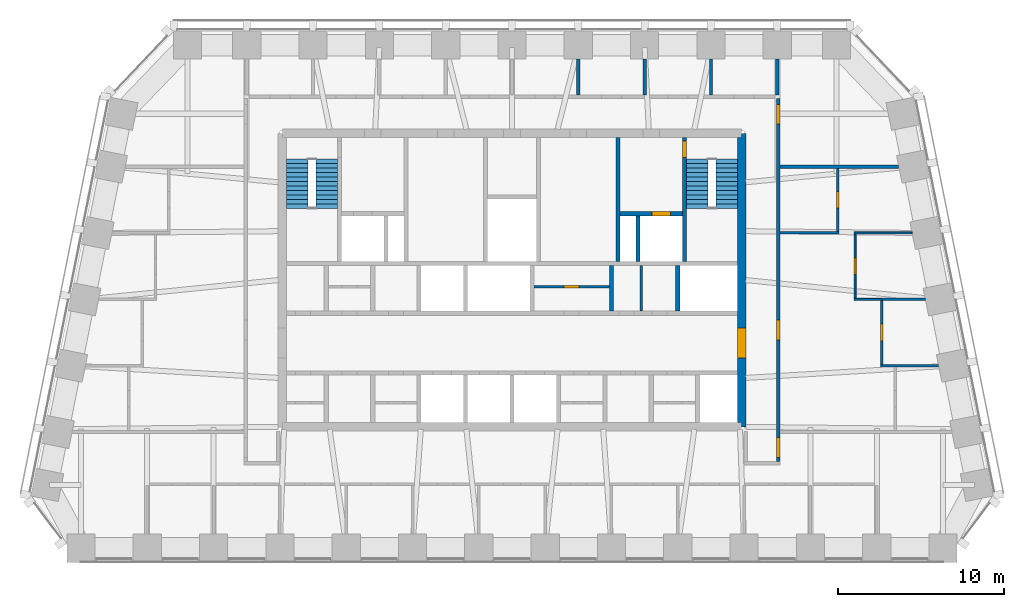
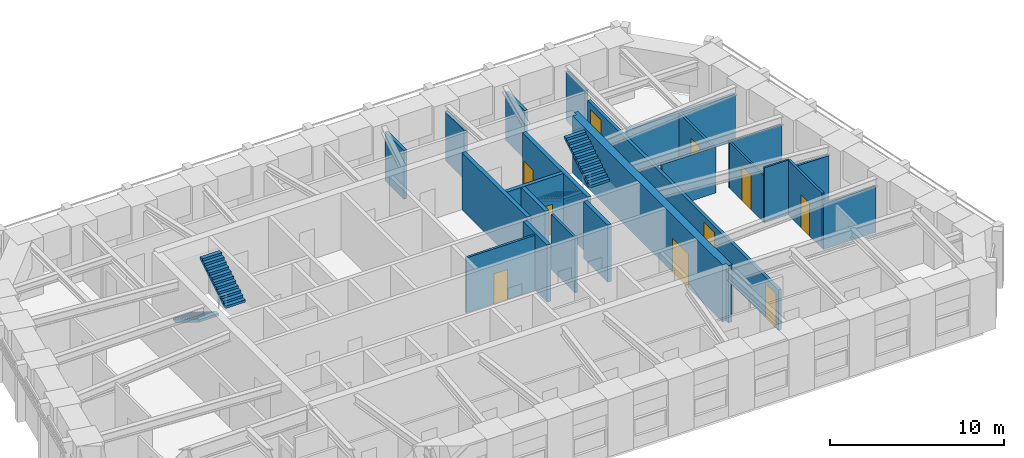
# One storey, part 7 of 10: 23 walls, 10 doors, 4 stair flights, 10 openings, 2 elements without a shape of their own.
"""IFC4 building model written with IfcOpenShell, lengths in metres."""

from ifc_helpers import new_model, si_unit, direction, frame, frame_2d, origin, place, context, subcontext, project, spatial, polyline, rectangle, outline, extrude, material, layer, layer_set, type_object, element, fill, aggregate, save


model = new_model("IFC4")

# Units and contexts
model_context = context("Model", 3, precision=1e-05, world=origin(), true_north=direction((0.0, 1.0)))
body_context = subcontext(model_context, "Body", "Model", "MODEL_VIEW")
ifc_project = project(units=[si_unit("LENGTHUNIT", "METRE"), si_unit("AREAUNIT", "SQUARE_METRE"), si_unit("VOLUMEUNIT", "CUBIC_METRE"), si_unit("PLANEANGLEUNIT", "RADIAN"), si_unit("MASSUNIT", "GRAM", prefix="KILO")], contexts=[model_context])

# Site, building, storey
site_placement = place(None, origin())
site = spatial("IfcSite", under=ifc_project, at=site_placement, CompositionType="ELEMENT")
building_placement = place(site_placement, origin())
building = spatial("IfcBuilding", under=site, at=building_placement, Name="Isbrekke Arena Tower", CompositionType="ELEMENT")
storey_placement = place(building_placement, frame((0.0, 0.0, 300.0)))
storey = spatial("IfcBuildingStorey", under=building, at=storey_placement, Name="L70", CompositionType="ELEMENT", Elevation=300.0)

# Wall, opening, door
ifc_material_1 = material(Name="Concrete B55 (C55/67)", Category="concrete")
ifc_layer_1 = layer(ifc_material_1, 0.5)
ifc_layer_set_1 = layer_set([ifc_layer_1], Name="CW5 CORE WALL 500")
wall_type_1 = type_object("IfcWallType", Name="CW5 CORE WALL 500", PredefinedType="SHEAR", material=ifc_layer_set_1)
wall_1_placement = place(storey_placement, frame((13.85009765625, 6.14990234375, 0.0), z_axis=(0.0, 0.0, 1.0), x_axis=(0.0, 1.0, 0.0)))
wall_1 = element("IfcWall", 1, at=wall_1_placement, inside=storey, type_object=wall_type_1, Name="Core wall E L70", PredefinedType="SHEAR", context=body_context, shape_type="SweptSolid", body=[
    extrude(outline(polyline([(0.0, -0.25), (17.7001953125, -0.25), (17.7001953125, 0.0), (17.4501953125, 0.0), (17.4501953125, 0.25), (0.25, 0.25), (0.25, 0.0), (0.0, 0.0), (0.0, -0.25)])), origin(), (0.0, 0.0, 1.0), 4.0),
])
opening_1_placement = place(wall_1_placement, frame((4.14990234375, 0.0, 0.0)))
opening_1 = element("IfcOpeningElement", 2, at=opening_1_placement, cuts=wall_1, Name="Opening D1", PredefinedType="OPENING", context=body_context, shape_type="SweptSolid", body=[
    extrude(rectangle(XDim=1.800048828125, YDim=2.39990234375, at=frame_2d((0.89990234375, 1.199951171875))), frame((0.0, 0.264892578125, 0.0), z_axis=(0.0, -1.0, 0.0), x_axis=(1.0, 0.0, 0.0)), (0.0, 0.0, 1.0), 0.52978515625),
])
ifc_material_2 = material(Name="Steel-framed glazed fire door", Category="steel")
door_type_1 = type_object("IfcDoorType", Name="D1 CORE LOBBY DOOR 1800 x 2400", OperationType="DOUBLE_DOOR_SINGLE_SWING", PredefinedType="DOOR", material=ifc_material_2)
door_1_placement = place(opening_1_placement, origin())
door_1 = element("IfcDoor", 3, at=door_1_placement, inside=storey, type_object=door_type_1, Name="D1 lift lobby door east L70", OperationType="DOUBLE_DOOR_SINGLE_SWING", OverallHeight=2.39990234375, OverallWidth=1.800048828125, PredefinedType="DOOR", context=body_context, shape_type="SweptSolid", body=[
    extrude(rectangle(XDim=1.800048828125, YDim=2.39990234375, at=frame_2d((0.89990234375, 1.199951171875))), frame((0.0, 0.249755859375, 0.0), z_axis=(0.0, -1.0, 0.0), x_axis=(1.0, 0.0, 0.0)), (0.0, 0.0, 1.0), 0.49951171875),
])
fill(opening_1, door_1)

# Walls
ifc_material_3 = material(Name="Concrete B45 (C45/55)", Category="concrete")
ifc_layer_2 = layer(ifc_material_3, 0.25)
ifc_layer_set_2 = layer_set([ifc_layer_2], Name="CW6 SHAFT WALL 250")
wall_type_2 = type_object("IfcWallType", Name="CW6 SHAFT WALL 250", PredefinedType="SHEAR", material=ifc_layer_set_2)
for number, where, z_axis, x_axis, name in (
    (4, (6.0, 13.125, 0.0), (0.0, 0.0, 1.0), (0.0, 1.0, 0.0), "Core wall SN06 L70"),
    (5, (10.0, 13.125, 0.0), (0.0, 0.0, 1.0), (0.0, 1.0, 0.0), "Core wall SN07 L70"),
):
    element("IfcWall", number, at=place(storey_placement, frame(where, z_axis=z_axis, x_axis=x_axis)), inside=storey, type_object=wall_type_2, Name=name, PredefinedType="SHEAR", context=body_context, shape_type="SweptSolid", body=[
        extrude(rectangle(XDim=2.75, YDim=0.25, at=frame_2d((1.375, 0.0))), origin(), (0.0, 0.0, 1.0), 4.0),
    ])
wall_2_placement = place(storey_placement, frame((6.39990234375, 16.125, 0.0), z_axis=(0.0, 0.0, 1.0), x_axis=(0.0, 1.0, 0.0)))
element("IfcWall", 6, at=wall_2_placement, inside=storey, type_object=wall_type_2, Name="Core wall NV05 L70", PredefinedType="SHEAR", context=body_context, shape_type="SweptSolid", body=[
    extrude(rectangle(XDim=7.47509765625, YDim=0.25, at=frame_2d((3.737548828125, 0.0))), origin(), (0.0, 0.0, 1.0), 4.0),
])

# Wall, opening, door
wall_3_placement = place(storey_placement, frame((10.39990234375, 16.125, 0.0), z_axis=(0.0, 0.0, 1.0), x_axis=(0.0, 1.0, 0.0)))
wall_3 = element("IfcWall", 7, at=wall_3_placement, inside=storey, type_object=wall_type_2, Name="Core wall NV06 L70", PredefinedType="SHEAR", context=body_context, shape_type="SweptSolid", body=[
    extrude(rectangle(XDim=7.47509765625, YDim=0.25, at=frame_2d((3.737548828125, 0.0))), origin(), (0.0, 0.0, 1.0), 4.0),
])
opening_2_placement = place(wall_3_placement, frame((6.27490234375, 0.0, 0.0)))
opening_2 = element("IfcOpeningElement", 8, at=opening_2_placement, cuts=wall_3, Name="Opening D2", PredefinedType="OPENING", context=body_context, shape_type="SweptSolid", body=[
    extrude(rectangle(XDim=1.0, YDim=2.10009765625, at=frame_2d((0.5, 1.050048828125))), frame((0.0, 0.139892578125, 0.0), z_axis=(0.0, -1.0, 0.0), x_axis=(1.0, 0.0, 0.0)), (0.0, 0.0, 1.0), 0.27978515625),
])
ifc_material_4 = material(Name="Steel fire door", Category="steel")
door_type_2 = type_object("IfcDoorType", Name="D2 STAIR DOOR 1000 x 2100", OperationType="SINGLE_SWING_LEFT", PredefinedType="DOOR", material=ifc_material_4)
door_2_placement = place(opening_2_placement, origin())
door_2 = element("IfcDoor", 9, at=door_2_placement, inside=storey, type_object=door_type_2, Name="D2 stair door ST2 L70", OperationType="SINGLE_SWING_LEFT", OverallHeight=2.10009765625, OverallWidth=1.0, PredefinedType="DOOR", context=body_context, shape_type="SweptSolid", body=[
    extrude(rectangle(XDim=1.0, YDim=2.10009765625, at=frame_2d((0.5, 1.050048828125))), frame((0.0, 0.124755859375, 0.0), z_axis=(0.0, -1.0, 0.0), x_axis=(1.0, 0.0, 0.0)), (0.0, 0.0, 1.0), 0.24951171875),
])
fill(opening_2, door_2)

wall_4_placement = place(storey_placement, frame((6.52490234375, 19.0, 0.0), z_axis=(0.0, 0.0, 1.0), x_axis=(1.0, 0.0, 0.0)))
wall_4 = element("IfcWall", 10, at=wall_4_placement, inside=storey, type_object=wall_type_2, Name="Core wall NFE L70", PredefinedType="SHEAR", context=body_context, shape_type="SweptSolid", body=[
    extrude(rectangle(XDim=3.75, YDim=0.25, at=frame_2d((1.875, 0.0))), origin(), (0.0, 0.0, 1.0), 4.0),
])
opening_3_placement = place(wall_4_placement, frame((1.925048828125, 0.0, 0.0)))
opening_3 = element("IfcOpeningElement", 11, at=opening_3_placement, cuts=wall_4, Name="Opening LD2", PredefinedType="OPENING", context=body_context, shape_type="SweptSolid", body=[
    extrude(rectangle(XDim=1.10009765625, YDim=2.10009765625, at=frame_2d((0.550048828125, 1.050048828125))), frame((0.0, 0.139892578125, 0.0), z_axis=(0.0, -1.0, 0.0), x_axis=(1.0, 0.0, 0.0)), (0.0, 0.0, 1.0), 0.27978515625),
])
ifc_material_5 = material(Name="Stainless steel lift landing door", Category="steel")
door_type_3 = type_object("IfcDoorType", Name="LD2 FIRE-FIGHTING LIFT LANDING DOOR 1100 x 2100", OperationType="SLIDING_TO_RIGHT", PredefinedType="DOOR", material=ifc_material_5)
door_3_placement = place(opening_3_placement, origin())
door_3 = element("IfcDoor", 12, at=door_3_placement, inside=storey, type_object=door_type_3, Name="LD2 lift landing door LF L70", OperationType="SLIDING_TO_RIGHT", OverallHeight=2.10009765625, OverallWidth=1.10009765625, PredefinedType="DOOR", context=body_context, shape_type="SweptSolid", body=[
    extrude(rectangle(XDim=1.10009765625, YDim=2.10009765625, at=frame_2d((0.550048828125, 1.050048828125))), frame((0.0, 0.124755859375, 0.0), z_axis=(0.0, -1.0, 0.0), x_axis=(1.0, 0.0, 0.0)), (0.0, 0.0, 1.0), 0.24951171875),
])
fill(opening_3, door_3)

# Walls
wall_5_placement = place(storey_placement, frame((7.60009765625, 16.125, 0.0), z_axis=(0.0, 0.0, 1.0), x_axis=(0.0, 1.0, 0.0)))
element("IfcWall", 13, at=wall_5_placement, inside=storey, type_object=wall_type_2, Name="Core wall NFS2 L70", PredefinedType="SHEAR", context=body_context, shape_type="SweptSolid", body=[
    extrude(rectangle(XDim=2.75, YDim=0.25, at=frame_2d((1.375, 0.0))), origin(), (0.0, 0.0, 1.0), 4.0),
])
ifc_material_6 = material(Name="Gypsum board partition on steel studs", Category="steel")
ifc_layer_3 = layer(ifc_material_6, 0.14990234375)
ifc_layer_set_3 = layer_set([ifc_layer_3], Name="IW1 PARTITION 150")
wall_type_3 = type_object("IfcWallType", Name="IW1 PARTITION 150", PredefinedType="PARTITIONING", material=ifc_layer_set_3)
wall_6_placement = place(storey_placement, frame((22.22509765625, 9.840087890625, 0.0), z_axis=(0.0, 0.0, 1.0), x_axis=(1.0, 0.0, 0.0)))
element("IfcWall", 14, at=wall_6_placement, inside=storey, type_object=wall_type_3, Name="IW1 partition 150 L70", PredefinedType="PARTITIONING", context=body_context, shape_type="SweptSolid", body=[
    extrude(rectangle(XDim=3.498779296875, YDim=0.14990234375, at=frame_2d((1.74951171875, 0.0))), origin(), (0.0, 0.0, 1.0), 3.22998046875),
])
wall_7_placement = place(storey_placement, frame((22.300048828125, 13.840087890625, 0.0), z_axis=(0.0, 0.0, 1.0), x_axis=(1.0, 0.0, 0.0)))
element("IfcWall", 15, at=wall_7_placement, inside=storey, type_object=wall_type_3, Name="IW1 partition 150 L70", PredefinedType="PARTITIONING", context=body_context, shape_type="SweptSolid", body=[
    extrude(rectangle(XDim=2.623779296875, YDim=0.14990234375, at=frame_2d((1.31201171875, 0.0))), origin(), (0.0, 0.0, 1.0), 3.22998046875),
])
wall_8_placement = place(storey_placement, frame((16.14990234375, 17.840087890625, 0.0), z_axis=(0.0, 0.0, 1.0), x_axis=(1.0, 0.0, 0.0)))
element("IfcWall", 16, at=wall_8_placement, inside=storey, type_object=wall_type_3, Name="IW1 partition 150 L70", PredefinedType="PARTITIONING", context=body_context, shape_type="SweptSolid", body=[
    extrude(rectangle(XDim=3.5751953125, YDim=0.14990234375, at=frame_2d((1.78759765625, 0.0))), origin(), (0.0, 0.0, 1.0), 3.22998046875),
])

# Wall, opening, door
wall_9_placement = place(storey_placement, frame((19.64990234375, 17.9150390625, 0.0), z_axis=(0.0, 0.0, 1.0), x_axis=(0.0, 1.0, 0.0)))
wall_9 = element("IfcWall", 17, at=wall_9_placement, inside=storey, type_object=wall_type_3, Name="IW1 partition 150 L70", PredefinedType="PARTITIONING", context=body_context, shape_type="SweptSolid", body=[
    extrude(rectangle(XDim=3.824951171875, YDim=0.14990234375, at=frame_2d((1.91259765625, 0.0))), origin(), (0.0, 0.0, 1.0), 3.22998046875),
])
opening_4_placement = place(wall_9_placement, frame((1.425048828125, 0.0, 0.0)))
opening_4 = element("IfcOpeningElement", 18, at=opening_4_placement, cuts=wall_9, Name="Opening D10", PredefinedType="OPENING", context=body_context, shape_type="SweptSolid", body=[
    extrude(rectangle(XDim=1.0, YDim=2.300048828125, at=frame_2d((0.5, 1.14990234375))), frame((0.0, 0.08984375, 0.0), z_axis=(0.0, -1.0, 0.0), x_axis=(1.0, 0.0, 0.0)), (0.0, 0.0, 1.0), 0.1796875),
])
ifc_material_7 = material(Name="Timber door", Category="wood")
door_type_4 = type_object("IfcDoorType", Name="D10 OFFICE DOOR 1000 x 2300", OperationType="SINGLE_SWING_LEFT", PredefinedType="DOOR", material=ifc_material_7)
door_4_placement = place(opening_4_placement, origin())
door_4 = element("IfcDoor", 19, at=door_4_placement, inside=storey, type_object=door_type_4, Name="D10 pantry door L70", OperationType="SINGLE_SWING_LEFT", OverallHeight=2.300048828125, OverallWidth=1.0, PredefinedType="DOOR", context=body_context, shape_type="SweptSolid", body=[
    extrude(rectangle(XDim=1.0, YDim=2.300048828125, at=frame_2d((0.5, 1.14990234375))), frame((0.0, 0.07470703125, 0.0), z_axis=(0.0, -1.0, 0.0), x_axis=(1.0, 0.0, 0.0)), (0.0, 0.0, 1.0), 0.1494140625),
])
fill(opening_4, door_4)

wall_10_placement = place(storey_placement, frame((22.300048828125, 9.9150390625, 0.0), z_axis=(0.0, 0.0, 1.0), x_axis=(0.0, 1.0, 0.0)))
wall_10 = element("IfcWall", 20, at=wall_10_placement, inside=storey, type_object=wall_type_3, Name="IW1 partition 150 L70", PredefinedType="PARTITIONING", context=body_context, shape_type="SweptSolid", body=[
    extrude(rectangle(XDim=3.849853515625, YDim=0.14990234375, at=frame_2d((1.9248046875, 0.0))), origin(), (0.0, 0.0, 1.0), 3.85009765625),
])
opening_5_placement = place(wall_10_placement, frame((1.425048828125, 0.0, 0.0)))
opening_5 = element("IfcOpeningElement", 21, at=opening_5_placement, cuts=wall_10, Name="Opening D10", PredefinedType="OPENING", context=body_context, shape_type="SweptSolid", body=[
    extrude(rectangle(XDim=1.0, YDim=2.300048828125, at=frame_2d((0.5, 1.14990234375))), frame((0.0, 0.08984375, 0.0), z_axis=(0.0, -1.0, 0.0), x_axis=(1.0, 0.0, 0.0)), (0.0, 0.0, 1.0), 0.1796875),
])
door_5_placement = place(opening_5_placement, origin())
door_5 = element("IfcDoor", 22, at=door_5_placement, inside=storey, type_object=door_type_4, Name="D10 executive office door L70", OperationType="SINGLE_SWING_LEFT", OverallHeight=2.300048828125, OverallWidth=1.0, PredefinedType="DOOR", context=body_context, shape_type="SweptSolid", body=[
    extrude(rectangle(XDim=1.0, YDim=2.300048828125, at=frame_2d((0.5, 1.14990234375))), frame((0.0, 0.07470703125, 0.0), z_axis=(0.0, -1.0, 0.0), x_axis=(1.0, 0.0, 0.0)), (0.0, 0.0, 1.0), 0.1494140625),
])
fill(opening_5, door_5)

# Walls
ifc_material_8 = material(Name="Frameless glazed partition, laminated acoustic glass", Category="glass")
ifc_layer_4 = layer(ifc_material_8, 0.1201171875)
ifc_layer_set_4 = layer_set([ifc_layer_4], Name="IW2 GLAZED PARTITION 120")
wall_type_4 = type_object("IfcWallType", Name="IW2 GLAZED PARTITION 120", PredefinedType="PARTITIONING", material=ifc_layer_set_4)
wall_11_placement = place(storey_placement, frame((20.639892578125, 13.840087890625, 0.0), z_axis=(0.0, 0.0, 1.0), x_axis=(1.0, 0.0, 0.0)))
element("IfcWall", 23, at=wall_11_placement, inside=storey, type_object=wall_type_4, Name="IW2 glazed partition 120 L70", PredefinedType="PARTITIONING", context=body_context, shape_type="SweptSolid", body=[
    extrude(rectangle(XDim=1.66015625, YDim=0.1201171875, at=frame_2d((0.830078125, 0.0))), origin(), (0.0, 0.0, 1.0), 3.85009765625),
])
wall_12_placement = place(storey_placement, frame((20.639892578125, 17.840087890625, 0.0), z_axis=(0.0, 0.0, 1.0), x_axis=(1.0, 0.0, 0.0)))
element("IfcWall", 24, at=wall_12_placement, inside=storey, type_object=wall_type_4, Name="IW2 glazed partition 120 L70", PredefinedType="PARTITIONING", context=body_context, shape_type="SweptSolid", body=[
    extrude(rectangle(XDim=3.48388671875, YDim=0.1201171875, at=frame_2d((1.741943359375, 0.0))), origin(), (0.0, 0.0, 1.0), 3.22998046875),
])

# Wall, opening, door
wall_13_placement = place(storey_placement, frame((20.699951171875, 13.89990234375, 0.0), z_axis=(0.0, 0.0, 1.0), x_axis=(0.0, 1.0, 0.0)))
wall_13 = element("IfcWall", 25, at=wall_13_placement, inside=storey, type_object=wall_type_4, Name="IW2 glazed partition 120 L70", PredefinedType="PARTITIONING", context=body_context, shape_type="SweptSolid", body=[
    extrude(rectangle(XDim=3.880126953125, YDim=0.1201171875, at=frame_2d((1.93994140625, 0.0))), origin(), (0.0, 0.0, 1.0), 3.22998046875),
])
opening_6_placement = place(wall_13_placement, frame((1.43994140625, 0.0, 0.0)))
opening_6 = element("IfcOpeningElement", 26, at=opening_6_placement, cuts=wall_13, Name="Opening D11", PredefinedType="OPENING", context=body_context, shape_type="SweptSolid", body=[
    extrude(rectangle(XDim=1.0, YDim=2.39990234375, at=frame_2d((0.5, 1.199951171875))), frame((0.0, 0.074951171875, 0.0), z_axis=(0.0, -1.0, 0.0), x_axis=(1.0, 0.0, 0.0)), (0.0, 0.0, 1.0), 0.14990234375),
])
ifc_material_9 = material(Name="Frameless glazed door", Category="glass")
door_type_5 = type_object("IfcDoorType", Name="D11 GLAZED MEETING ROOM DOOR 1000 x 2400", OperationType="SINGLE_SWING_RIGHT", PredefinedType="DOOR", material=ifc_material_9)
door_6_placement = place(opening_6_placement, origin())
door_6 = element("IfcDoor", 27, at=door_6_placement, inside=storey, type_object=door_type_5, Name="D11 meeting room door L70", OperationType="SINGLE_SWING_RIGHT", OverallHeight=2.39990234375, OverallWidth=1.0, PredefinedType="DOOR", context=body_context, shape_type="SweptSolid", body=[
    extrude(rectangle(XDim=1.0, YDim=2.39990234375, at=frame_2d((0.5, 1.199951171875))), frame((0.0, 0.059814453125, 0.0), z_axis=(0.0, -1.0, 0.0), x_axis=(1.0, 0.0, 0.0)), (0.0, 0.0, 1.0), 0.11962890625),
])
fill(opening_6, door_6)

# Walls
ifc_material_10 = material(Name="Gypsum board fire-cell wall on steel studs, two layers each side", Category="steel")
ifc_layer_5 = layer(ifc_material_10, 0.199951171875)
ifc_layer_set_5 = layer_set([ifc_layer_5], Name="IW3 FIRE-CELL WALL 200")
wall_type_5 = type_object("IfcWallType", Name="IW3 FIRE-CELL WALL 200", PredefinedType="PARTITIONING", material=ifc_layer_set_5)
wall_14_placement = place(storey_placement, frame((16.14990234375, 21.840087890625, 0.0), z_axis=(0.0, 0.0, 1.0), x_axis=(1.0, 0.0, 0.0)))
element("IfcWall", 28, at=wall_14_placement, inside=storey, type_object=wall_type_5, Name="IW3 fire-cell wall 200 L70", PredefinedType="PARTITIONING", context=body_context, shape_type="SweptSolid", body=[
    extrude(rectangle(XDim=7.173828125, YDim=0.199951171875, at=frame_2d((3.5869140625, 0.0))), origin(), (0.0, 0.0, 1.0), 3.22998046875),
])
for number, where, z_axis, x_axis, name in (
    (29, (4.0, 26.14990234375, 0.0), (0.0, 0.0, 1.0), (0.0, 1.0, 0.0), "IW3 fire-cell wall 200 L70"),
    (30, (8.0, 26.14990234375, 0.0), (0.0, 0.0, 1.0), (0.0, 1.0, 0.0), "IW3 fire-cell wall 200 L70"),
    (31, (12.0, 26.14990234375, 0.0), (0.0, 0.0, 1.0), (0.0, 1.0, 0.0), "IW3 fire-cell wall 200 L70"),
    (32, (16.0, 26.14990234375, 0.0), (0.0, 0.0, 1.0), (0.0, 1.0, 0.0), "IW3 fire-cell wall 200 L70"),
):
    element("IfcWall", number, at=place(storey_placement, frame(where, z_axis=z_axis, x_axis=x_axis)), inside=storey, type_object=wall_type_5, Name=name, PredefinedType="PARTITIONING", context=body_context, shape_type="SweptSolid", body=[
        extrude(rectangle(XDim=2.175048828125, YDim=0.199951171875, at=frame_2d((1.08740234375, 0.0))), origin(), (0.0, 0.0, 1.0), 3.41796875),
    ])

# Wall, openings, doors
wall_15_placement = place(storey_placement, frame((16.050048828125, 4.050048828125, 0.0), z_axis=(0.0, 0.0, 1.0), x_axis=(0.0, 1.0, 0.0)))
wall_15 = element("IfcWall", 33, at=wall_15_placement, inside=storey, type_object=wall_type_5, Name="IW3 fire-cell wall 200 L70", PredefinedType="PARTITIONING", context=body_context, shape_type="SweptSolid", body=[
    extrude(rectangle(XDim=21.89990234375, YDim=0.199951171875, at=frame_2d((10.949951171875, 0.0))), origin(), (0.0, 0.0, 1.0), 2.842041015625),
])
opening_7_placement = place(wall_15_placement, frame((0.25, 0.0, 0.0)))
opening_7 = element("IfcOpeningElement", 34, at=opening_7_placement, cuts=wall_15, Name="Opening D12", PredefinedType="OPENING", context=body_context, shape_type="SweptSolid", body=[
    extrude(rectangle(XDim=1.199951171875, YDim=2.39990234375, at=frame_2d((0.60009765625, 1.199951171875))), frame((0.0, 0.11474609375, 0.0), z_axis=(0.0, -1.0, 0.0), x_axis=(1.0, 0.0, 0.0)), (0.0, 0.0, 1.0), 0.229736328125),
])
opening_8_placement = place(wall_15_placement, frame((7.35009765625, 0.0, 0.0)))
opening_8 = element("IfcOpeningElement", 35, at=opening_8_placement, cuts=wall_15, Name="Opening D12", PredefinedType="OPENING", context=body_context, shape_type="SweptSolid", body=[
    extrude(rectangle(XDim=1.199951171875, YDim=2.39990234375, at=frame_2d((0.60009765625, 1.199951171875))), frame((0.0, 0.11474609375, 0.0), z_axis=(0.0, -1.0, 0.0), x_axis=(1.0, 0.0, 0.0)), (0.0, 0.0, 1.0), 0.229736328125),
])
opening_9_placement = place(wall_15_placement, frame((20.35009765625, 0.0, 0.0)))
opening_9 = element("IfcOpeningElement", 36, at=opening_9_placement, cuts=wall_15, Name="Opening D12", PredefinedType="OPENING", context=body_context, shape_type="SweptSolid", body=[
    extrude(rectangle(XDim=1.199951171875, YDim=2.39990234375, at=frame_2d((0.60009765625, 1.199951171875))), frame((0.0, 0.11474609375, 0.0), z_axis=(0.0, -1.0, 0.0), x_axis=(1.0, 0.0, 0.0)), (0.0, 0.0, 1.0), 0.229736328125),
])
ifc_material_11 = material(Name="Timber fire door with vision panel", Category="wood")
door_type_6 = type_object("IfcDoorType", Name="D12 SUITE ENTRANCE DOOR 1200 x 2400", OperationType="SINGLE_SWING_LEFT", PredefinedType="DOOR", material=ifc_material_11)
door_7_placement = place(opening_7_placement, origin())
door_7 = element("IfcDoor", 37, at=door_7_placement, inside=storey, type_object=door_type_6, Name="D12 suite entrance S door L70", OperationType="SINGLE_SWING_LEFT", OverallHeight=2.39990234375, OverallWidth=1.199951171875, PredefinedType="DOOR", context=body_context, shape_type="SweptSolid", body=[
    extrude(rectangle(XDim=1.199951171875, YDim=2.39990234375, at=frame_2d((0.60009765625, 1.199951171875))), frame((0.0, 0.099609375, 0.0), z_axis=(0.0, -1.0, 0.0), x_axis=(1.0, 0.0, 0.0)), (0.0, 0.0, 1.0), 0.199462890625),
])
fill(opening_7, door_7)
door_8_placement = place(opening_8_placement, origin())
door_8 = element("IfcDoor", 38, at=door_8_placement, inside=storey, type_object=door_type_6, Name="D12 suite entrance E door L70", OperationType="SINGLE_SWING_LEFT", OverallHeight=2.39990234375, OverallWidth=1.199951171875, PredefinedType="DOOR", context=body_context, shape_type="SweptSolid", body=[
    extrude(rectangle(XDim=1.199951171875, YDim=2.39990234375, at=frame_2d((0.60009765625, 1.199951171875))), frame((0.0, 0.099609375, 0.0), z_axis=(0.0, -1.0, 0.0), x_axis=(1.0, 0.0, 0.0)), (0.0, 0.0, 1.0), 0.199462890625),
])
fill(opening_8, door_8)
door_9_placement = place(opening_9_placement, origin())
door_9 = element("IfcDoor", 39, at=door_9_placement, inside=storey, type_object=door_type_6, Name="D12 suite entrance NCE door L70", OperationType="SINGLE_SWING_LEFT", OverallHeight=2.39990234375, OverallWidth=1.199951171875, PredefinedType="DOOR", context=body_context, shape_type="SweptSolid", body=[
    extrude(rectangle(XDim=1.199951171875, YDim=2.39990234375, at=frame_2d((0.60009765625, 1.199951171875))), frame((0.0, 0.099609375, 0.0), z_axis=(0.0, -1.0, 0.0), x_axis=(1.0, 0.0, 0.0)), (0.0, 0.0, 1.0), 0.199462890625),
])
fill(opening_9, door_9)

# Wall, opening, door
ifc_material_12 = material(Name="Gypsum board fire-rated partition on steel studs, two layers each side", Category="steel")
ifc_layer_6 = layer(ifc_material_12, 0.14990234375)
ifc_layer_set_6 = layer_set([ifc_layer_6], Name="IW5 FIRE-RATED PARTITION 150")
wall_type_6 = type_object("IfcWallType", Name="IW5 FIRE-RATED PARTITION 150", PredefinedType="PARTITIONING", material=ifc_layer_set_6)
wall_16_placement = place(storey_placement, frame((1.324951171875, 14.60009765625, 0.0), z_axis=(0.0, 0.0, 1.0), x_axis=(1.0, 0.0, 0.0)))
wall_16 = element("IfcWall", 40, at=wall_16_placement, inside=storey, type_object=wall_type_6, Name="IW5 fire-rated partition L70 core service rooms 1", PredefinedType="PARTITIONING", context=body_context, shape_type="SweptSolid", body=[
    extrude(rectangle(XDim=4.550048828125, YDim=0.14990234375, at=frame_2d((2.27490234375, 0.0))), origin(), (0.0, 0.0, 1.0), 3.85009765625),
])
opening_10_placement = place(wall_16_placement, frame((1.824951171875, 0.0, 0.0)))
opening_10 = element("IfcOpeningElement", 41, at=opening_10_placement, cuts=wall_16, Name="Opening D5", PredefinedType="OPENING", context=body_context, shape_type="SweptSolid", body=[
    extrude(rectangle(XDim=0.89990234375, YDim=2.10009765625, at=frame_2d((0.449951171875, 1.050048828125))), frame((0.0, 0.08984375, 0.0), z_axis=(0.0, -1.0, 0.0), x_axis=(1.0, 0.0, 0.0)), (0.0, 0.0, 1.0), 0.1796875),
])
ifc_material_13 = material(Name="Steel fire door", Category="steel")
door_type_7 = type_object("IfcDoorType", Name="D5 SERVICE DOOR 900 x 2100", OperationType="SINGLE_SWING_LEFT", PredefinedType="DOOR", material=ifc_material_13)
door_10_placement = place(opening_10_placement, origin())
door_10 = element("IfcDoor", 42, at=door_10_placement, inside=storey, type_object=door_type_7, Name="D5 tenant store door L70", OperationType="SINGLE_SWING_LEFT", OverallHeight=2.10009765625, OverallWidth=0.89990234375, PredefinedType="DOOR", context=body_context, shape_type="SweptSolid", body=[
    extrude(rectangle(XDim=0.89990234375, YDim=2.10009765625, at=frame_2d((0.449951171875, 1.050048828125))), frame((0.0, 0.07470703125, 0.0), z_axis=(0.0, -1.0, 0.0), x_axis=(1.0, 0.0, 0.0)), (0.0, 0.0, 1.0), 0.1494140625),
])
fill(opening_10, door_10)

# Wall
wall_17_placement = place(storey_placement, frame((7.800048828125, 13.125, 0.0), z_axis=(0.0, 0.0, 1.0), x_axis=(0.0, 1.0, 0.0)))
element("IfcWall", 43, at=wall_17_placement, inside=storey, type_object=wall_type_6, Name="IW5 fire-rated partition L70 core service rooms 2", PredefinedType="PARTITIONING", context=body_context, shape_type="SweptSolid", body=[
    extrude(rectangle(XDim=2.75, YDim=0.14990234375, at=frame_2d((1.375, 0.0))), origin(), (0.0, 0.0, 1.0), 3.85009765625),
])

# Stair, stair flights
ifc_material_14 = material(Name="Concrete B45 (C45/55) precast", Category="concrete")
stair_type = type_object("IfcStairType", Name="ST40 STAIR 1300 WIDE, 24 RISERS 167", PredefinedType="HALF_TURN_STAIR", material=ifc_material_14)
stair_1_placement = place(storey_placement, origin())
stair_1 = element("IfcStair", 44, at=stair_1_placement, inside=storey, type_object=stair_type, Name="ST1 stair L70", PredefinedType="HALF_TURN_STAIR")
ifc_material_15 = material(Name="Concrete B45 (C45/55) precast", Category="concrete")
stair_flight_type = type_object("IfcStairFlightType", Name="SF 1300 FLIGHT", PredefinedType="STRAIGHT", material=ifc_material_15)
stair_flight_1_placement = place(storey_placement, frame((-12.949951171875, 22.300048828125, 0.0), z_axis=(0.0, 0.0, 1.0), x_axis=(0.0, -1.0, 0.0)))
stair_flight_1 = element("IfcStairFlight", 45, at=stair_flight_1_placement, type_object=stair_flight_type, Name="ST1 flight 1", NumberOfRisers=12, NumberOfTreads=11, PredefinedType="STRAIGHT", RiserHeight=0.166666667, TreadLength=0.27, context=body_context, shape_type="SweptSolid", body=[
    extrude(outline(polyline([(0.0, 0.0), (0.0, 0.166748046875), (0.27001953125, 0.166748046875), (0.27001953125, 0.333251953125), (0.5400390625, 0.333251953125), (0.5400390625, 0.5), (0.81005859375, 0.5), (0.81005859375, 0.666748046875), (1.080078125, 0.666748046875), (1.080078125, 0.833251953125), (1.35009765625, 0.833251953125), (1.35009765625, 1.0), (1.6201171875, 1.0), (1.6201171875, 1.166748046875), (1.889892578125, 1.166748046875), (1.889892578125, 1.333251953125), (2.159912109375, 1.333251953125), (2.159912109375, 1.5), (2.429931640625, 1.5), (2.429931640625, 1.666748046875), (2.699951171875, 1.666748046875), (2.699951171875, 1.833251953125), (2.969970703125, 1.833251953125), (2.969970703125, 2.0), (2.969970703125, 1.6572265625), (0.285400390625, 0.0), (0.0, 0.0)])), frame((0.0, 0.64990234375, 0.0), z_axis=(0.0, -1.0, 0.0), x_axis=(1.0, 0.0, 0.0)), (0.0, 0.0, 1.0), 1.300048828125),
])
stair_flight_2_placement = place(storey_placement, frame((-11.175048828125, 19.330078125, 2.0), z_axis=(0.0, 0.0, 1.0), x_axis=(0.0, 1.0, 0.0)))
stair_flight_2 = element("IfcStairFlight", 46, at=stair_flight_2_placement, type_object=stair_flight_type, Name="ST1 flight 2", NumberOfRisers=12, NumberOfTreads=11, PredefinedType="STRAIGHT", RiserHeight=0.166666667, TreadLength=0.27, context=body_context, shape_type="SweptSolid", body=[
    extrude(outline(polyline([(0.0, 0.0), (0.0, 0.166748046875), (0.27001953125, 0.166748046875), (0.27001953125, 0.333251953125), (0.5400390625, 0.333251953125), (0.5400390625, 0.5), (0.81005859375, 0.5), (0.81005859375, 0.666748046875), (1.080078125, 0.666748046875), (1.080078125, 0.833251953125), (1.35009765625, 0.833251953125), (1.35009765625, 1.0), (1.6201171875, 1.0), (1.6201171875, 1.166748046875), (1.889892578125, 1.166748046875), (1.889892578125, 1.333251953125), (2.159912109375, 1.333251953125), (2.159912109375, 1.5), (2.429931640625, 1.5), (2.429931640625, 1.666748046875), (2.699951171875, 1.666748046875), (2.699951171875, 1.833251953125), (2.969970703125, 1.833251953125), (2.969970703125, 2.0), (2.969970703125, 1.6572265625), (0.285400390625, 0.0), (0.0, 0.0)])), frame((0.0, 0.64990234375, 0.0), z_axis=(0.0, -1.0, 0.0), x_axis=(1.0, 0.0, 0.0)), (0.0, 0.0, 1.0), 1.300048828125),
])
aggregate(stair_1, [stair_flight_1, stair_flight_2])

stair_2_placement = place(storey_placement, origin())
stair_2 = element("IfcStair", 47, at=stair_2_placement, inside=storey, type_object=stair_type, Name="ST2 stair L70", PredefinedType="HALF_TURN_STAIR")
stair_flight_3_placement = place(storey_placement, frame((11.175048828125, 22.300048828125, 0.0), z_axis=(0.0, 0.0, 1.0), x_axis=(0.0, -1.0, 0.0)))
stair_flight_3 = element("IfcStairFlight", 48, at=stair_flight_3_placement, type_object=stair_flight_type, Name="ST2 flight 1", NumberOfRisers=12, NumberOfTreads=11, PredefinedType="STRAIGHT", RiserHeight=0.166666667, TreadLength=0.27, context=body_context, shape_type="SweptSolid", body=[
    extrude(outline(polyline([(0.0, 0.0), (0.0, 0.166748046875), (0.27001953125, 0.166748046875), (0.27001953125, 0.333251953125), (0.5400390625, 0.333251953125), (0.5400390625, 0.5), (0.81005859375, 0.5), (0.81005859375, 0.666748046875), (1.080078125, 0.666748046875), (1.080078125, 0.833251953125), (1.35009765625, 0.833251953125), (1.35009765625, 1.0), (1.6201171875, 1.0), (1.6201171875, 1.166748046875), (1.889892578125, 1.166748046875), (1.889892578125, 1.333251953125), (2.159912109375, 1.333251953125), (2.159912109375, 1.5), (2.429931640625, 1.5), (2.429931640625, 1.666748046875), (2.699951171875, 1.666748046875), (2.699951171875, 1.833251953125), (2.969970703125, 1.833251953125), (2.969970703125, 2.0), (2.969970703125, 1.6572265625), (0.285400390625, 0.0), (0.0, 0.0)])), frame((0.0, 0.64990234375, 0.0), z_axis=(0.0, -1.0, 0.0), x_axis=(1.0, 0.0, 0.0)), (0.0, 0.0, 1.0), 1.300048828125),
])
stair_flight_4_placement = place(storey_placement, frame((12.949951171875, 19.330078125, 2.0), z_axis=(0.0, 0.0, 1.0), x_axis=(0.0, 1.0, 0.0)))
stair_flight_4 = element("IfcStairFlight", 49, at=stair_flight_4_placement, type_object=stair_flight_type, Name="ST2 flight 2", NumberOfRisers=12, NumberOfTreads=11, PredefinedType="STRAIGHT", RiserHeight=0.166666667, TreadLength=0.27, context=body_context, shape_type="SweptSolid", body=[
    extrude(outline(polyline([(0.0, 0.0), (0.0, 0.166748046875), (0.27001953125, 0.166748046875), (0.27001953125, 0.333251953125), (0.5400390625, 0.333251953125), (0.5400390625, 0.5), (0.81005859375, 0.5), (0.81005859375, 0.666748046875), (1.080078125, 0.666748046875), (1.080078125, 0.833251953125), (1.35009765625, 0.833251953125), (1.35009765625, 1.0), (1.6201171875, 1.0), (1.6201171875, 1.166748046875), (1.889892578125, 1.166748046875), (1.889892578125, 1.333251953125), (2.159912109375, 1.333251953125), (2.159912109375, 1.5), (2.429931640625, 1.5), (2.429931640625, 1.666748046875), (2.699951171875, 1.666748046875), (2.699951171875, 1.833251953125), (2.969970703125, 1.833251953125), (2.969970703125, 2.0), (2.969970703125, 1.6572265625), (0.285400390625, 0.0), (0.0, 0.0)])), frame((0.0, 0.64990234375, 0.0), z_axis=(0.0, -1.0, 0.0), x_axis=(1.0, 0.0, 0.0)), (0.0, 0.0, 1.0), 1.300048828125),
])
aggregate(stair_2, [stair_flight_3, stair_flight_4])

save(model, "model.ifc")
